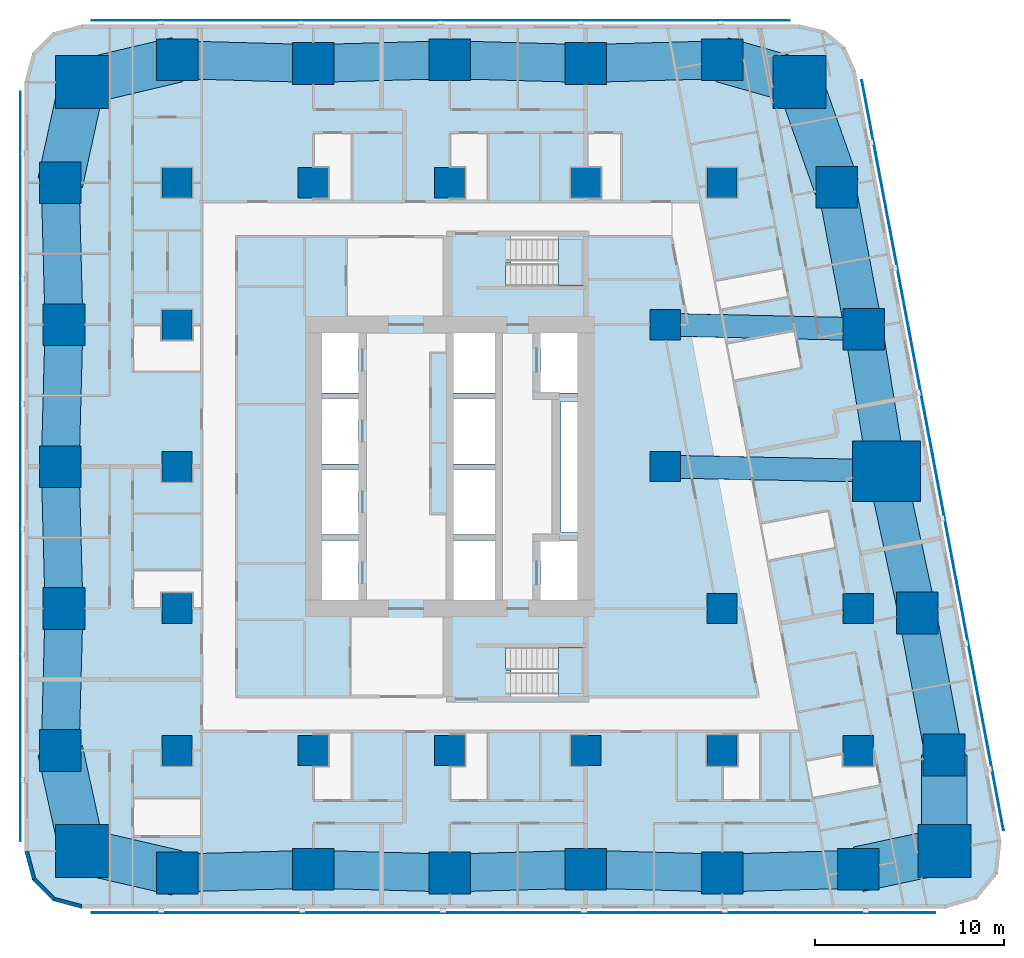
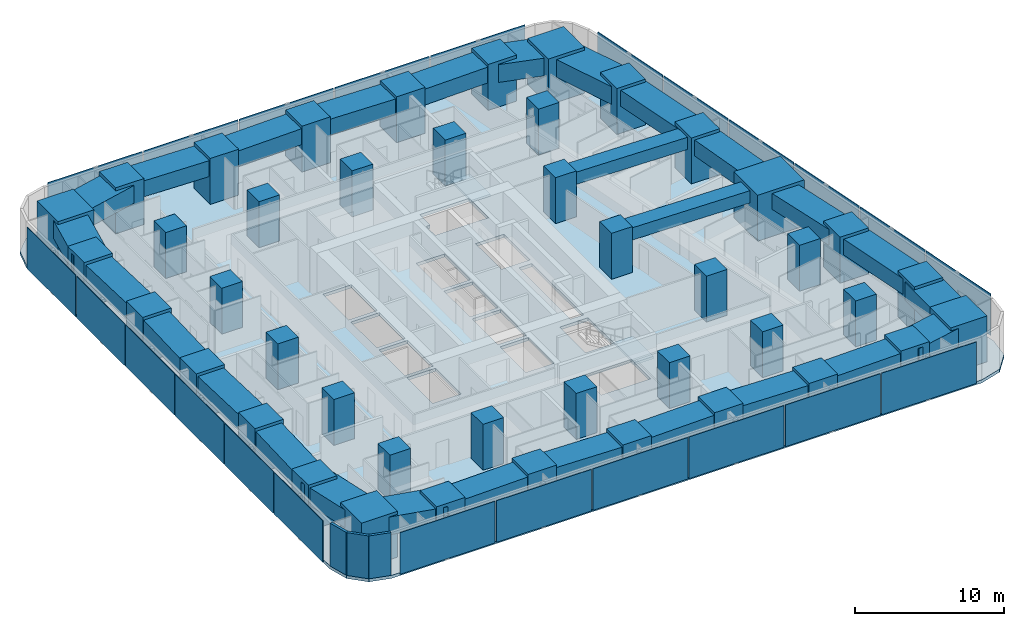
# One storey, part 1 of 17: 43 columns, 27 beams, 23 plates, 3 slabs, 3 walls, 2 elements without a shape of their own.
"""IFC4 building model written with IfcOpenShell, lengths in metres."""

import ifcopenshell
import ifcopenshell.guid

model = None  # the IFC model being written
_history = None  # IfcOwnerHistory: only IFC2X3 demands one
_inside = {}  # id of a spatial element -> (the spatial element, [elements in it])
_under = {}  # id of a project, library or spatial element -> (it, [spatial elements below it])
_declared = {}  # id of a project -> (the project, [libraries it declares])
_typed = {}  # id of a type object -> (the type object, [elements of that type])
_made_of = {}  # id of a material, layer set ... -> (it, [elements and type objects made of it])


def new_model(schema):
    """Start an empty IFC model of exactly this schema.

    Asked for "IFC4X3", IfcOpenShell would pick the latest addendum, in which some entities
    have other attributes; the version numbers below select the first issue.
    IFC2X3 requires an IfcOwnerHistory on every rooted entity: one is made here for all.
    """
    global model, _history
    if schema == "IFC4X3":
        model = ifcopenshell.file(schema_version=(4, 3, 0, 0))
    else:
        model = ifcopenshell.file(schema=schema)
    _inside.clear()
    _under.clear()
    _declared.clear()
    _typed.clear()
    _made_of.clear()
    _history = None
    if model.schema == "IFC2X3":
        org = make("IfcOrganization", Name="unknown")
        user = make(
            "IfcPersonAndOrganization",
            ThePerson=make("IfcPerson", FamilyName="unknown"),
            TheOrganization=org,
        )
        app = make(
            "IfcApplication",
            ApplicationDeveloper=org,
            Version="unknown",
            ApplicationFullName="unknown",
            ApplicationIdentifier="unknown",
        )
        _history = make(
            "IfcOwnerHistory",
            OwningUser=user,
            OwningApplication=app,
            ChangeAction="ADDED",
            CreationDate=0,
        )
    return model


def make(cls, **values):
    """One entity of the class cls with the attributes given. An attribute that is None is left unset."""
    return model.create_entity(
        cls, **{name: value for name, value in values.items() if value is not None}
    )


def rooted(cls, **values):
    """An entity with a GlobalId (a new one), such as an element, a storey or a relation."""
    return make(cls, GlobalId=ifcopenshell.guid.new(), OwnerHistory=_history, **values)


def si_unit(unit_type, name, prefix=None):
    """IfcSIUnit, for example si_unit("LENGTHUNIT", "METRE", prefix="MILLI")."""
    return make("IfcSIUnit", UnitType=unit_type, Prefix=prefix, Name=name)


def assignment(units):
    """IfcUnitAssignment: the units of a project."""
    return None if units is None else make("IfcUnitAssignment", Units=units)


def point(xyz):
    """IfcCartesianPoint."""
    return None if xyz is None else make("IfcCartesianPoint", Coordinates=xyz)


def direction(xyz):
    """IfcDirection."""
    return None if xyz is None else make("IfcDirection", DirectionRatios=xyz)


def frame(location, z_axis=None, x_axis=None):
    """IfcAxis2Placement3D, a coordinate frame: its origin and axes. An axis left out is left unset."""
    return make(
        "IfcAxis2Placement3D",
        Location=point(location),
        Axis=direction(z_axis),
        RefDirection=direction(x_axis),
    )


def frame_2d(location, x_axis=None):
    """IfcAxis2Placement2D, a coordinate frame in the plane: its origin and x axis."""
    return make(
        "IfcAxis2Placement2D", Location=point(location), RefDirection=direction(x_axis)
    )


def origin():
    """The frame at (0, 0, 0) with its axes left unset."""
    return frame((0.0, 0.0, 0.0))


def origin_2d():
    """The frame at (0, 0) in the plane with its x axis left unset."""
    return frame_2d((0.0, 0.0))


def place(relative_to, where):
    """IfcLocalPlacement: puts the frame where relative to a parent placement (None: the world)."""
    return make(
        "IfcLocalPlacement", PlacementRelTo=relative_to, RelativePlacement=where
    )


def context(
    kind, dimensions, precision=None, world=None, true_north=None, identifier=None
):
    """IfcGeometricRepresentationContext, for example the 3D "Model" context."""
    return make(
        "IfcGeometricRepresentationContext",
        ContextIdentifier=identifier,
        ContextType=kind,
        CoordinateSpaceDimension=dimensions,
        Precision=precision,
        WorldCoordinateSystem=world,
        TrueNorth=true_north,
    )


def subcontext(parent, identifier, kind, view, scale=None):
    """IfcGeometricRepresentationSubContext, for example "Body" below "Model"."""
    return make(
        "IfcGeometricRepresentationSubContext",
        ContextIdentifier=identifier,
        ContextType=kind,
        ParentContext=parent,
        TargetScale=scale,
        TargetView=view,
    )


def project(units=None, contexts=None):
    """IfcProject with its units and contexts."""
    return rooted(
        "IfcProject",
        Name="project",
        RepresentationContexts=contexts,
        UnitsInContext=assignment(units),
    )


def spatial(cls, under=None, at=None, **own):
    """A site, building, storey or space (cls), placed at a placement, below another one or the project."""
    s = rooted(cls, ObjectPlacement=at, **own)
    if under is not None:
        _under.setdefault(under.id(), (under, []))[1].append(s)
    return s


def polyline(points):
    """IfcPolyline through the points."""
    return make("IfcPolyline", Points=[point(p) for p in points])


def profile(cls, at=None, kind="AREA", **sizes):
    """A parametric profile (cls). Its sizes go by their IFC names, for example OverallWidth=200.0."""
    return make(cls, ProfileType=kind, Position=at, **sizes)


def rectangle(**sizes):
    """IfcRectangleProfileDef."""
    return profile("IfcRectangleProfileDef", **sizes)


def outline(outer, holes=None, kind="AREA"):
    """IfcArbitraryClosedProfileDef: a profile drawn as a closed curve; with holes, ...WithVoids."""
    if holes is None:
        return make("IfcArbitraryClosedProfileDef", ProfileType=kind, OuterCurve=outer)
    return make(
        "IfcArbitraryProfileDefWithVoids",
        ProfileType=kind,
        OuterCurve=outer,
        InnerCurves=holes,
    )


def extrude(swept, where, along, depth):
    """IfcExtrudedAreaSolid: the profile swept, set in the frame where, extruded along a direction by depth."""
    return make(
        "IfcExtrudedAreaSolid",
        SweptArea=swept,
        Position=where,
        ExtrudedDirection=direction(along),
        Depth=depth,
    )


def shape(context_of_items, identifier, shape_type, items):
    """IfcShapeRepresentation: the items that make up one representation, for example the "Body"."""
    return make(
        "IfcShapeRepresentation",
        ContextOfItems=context_of_items,
        RepresentationIdentifier=identifier,
        RepresentationType=shape_type,
        Items=items,
    )


def material(Name=None, Category=None):
    """IfcMaterial."""
    return make("IfcMaterial", Name=Name, Category=Category)


def layer(
    of_material, thickness, ventilated=None, Name=None, Category=None, Priority=None
):
    """IfcMaterialLayer: one layer of a wall or slab, of a material (None: an air gap)."""
    return make(
        "IfcMaterialLayer",
        Material=of_material,
        LayerThickness=thickness,
        IsVentilated=ventilated,
        Name=Name,
        Category=Category,
        Priority=Priority,
    )


def layer_set(layers, Name=None):
    """IfcMaterialLayerSet."""
    return make("IfcMaterialLayerSet", MaterialLayers=layers, LayerSetName=Name)


def material_profile(
    of_material, cross_section, Name=None, Category=None, Priority=None
):
    """IfcMaterialProfile: a cross section and its material."""
    return make(
        "IfcMaterialProfile",
        Name=Name,
        Material=of_material,
        Profile=cross_section,
        Priority=Priority,
        Category=Category,
    )


def profile_set(profiles, Name=None, composite=None):
    """IfcMaterialProfileSet."""
    return make(
        "IfcMaterialProfileSet",
        Name=Name,
        MaterialProfiles=profiles,
        CompositeProfile=composite,
    )


def made_of(thing, what):
    """Note that an element or type object is made of a material, layer set ...; save() writes the relation."""
    if what is not None:
        _made_of.setdefault(what.id(), (what, []))[1].append(thing)
    return thing


def type_object(cls, material=None, **own):
    """A type object (cls), such as IfcWallType, which elements share."""
    return made_of(rooted(cls, **own), material)


def element(
    cls,
    number,
    at=None,
    inside=None,
    cuts=None,
    type_object=None,
    material=None,
    context=None,
    identifier="Body",
    shape_type=None,
    held_by="IfcProductDefinitionShape",
    body=None,
    shapes=None,
    **own,
):
    """One element of the class cls, such as IfcWall. Its Tag is "e" and its number.

    at: its placement. inside: the storey or other place that contains it. cuts: it is an
    opening in that element (IfcRelVoidsElement). A single representation is given by context,
    identifier, shape_type and body (its items); several are given by shapes. held_by: the class
    of the entity that holds the representations. save() writes the other relations.
    """
    e = rooted(cls, Tag="e%d" % number, ObjectPlacement=at, **own)
    if body is not None:
        shapes = [shape(context, identifier, shape_type, body)]
    if shapes is not None:
        e.Representation = make(held_by, Representations=shapes)
    if inside is not None:
        _inside.setdefault(inside.id(), (inside, []))[1].append(e)
    if cuts is not None:
        rooted(
            "IfcRelVoidsElement", RelatingBuildingElement=cuts, RelatedOpeningElement=e
        )
    if type_object is not None:
        _typed.setdefault(type_object.id(), (type_object, []))[1].append(e)
    return made_of(e, material)


def aggregate(whole, parts):
    """IfcRelAggregates: a whole, such as a stair, and the parts it consists of."""
    return rooted("IfcRelAggregates", RelatingObject=whole, RelatedObjects=parts)


def save(model, path):
    """Write the relations noted so far, then the file.

    IfcRelAggregates (storeys below a building ...), IfcRelContainedInSpatialStructure (elements
    in a storey), IfcRelDefinesByType, IfcRelAssociatesMaterial and IfcRelDeclares: one each for
    every whole, place, type object, material and project.
    """
    for whole, parts in _under.values():
        aggregate(whole, parts)
    for where, things in _inside.values():
        rooted(
            "IfcRelContainedInSpatialStructure",
            RelatedElements=things,
            RelatingStructure=where,
        )
    for kind, things in _typed.values():
        rooted("IfcRelDefinesByType", RelatedObjects=things, RelatingType=kind)
    for what, things in _made_of.values():
        rooted("IfcRelAssociatesMaterial", RelatedObjects=things, RelatingMaterial=what)
    for by, libraries in _declared.values():
        rooted("IfcRelDeclares", RelatingContext=by, RelatedDefinitions=libraries)
    model.write(path)


model = new_model("IFC4")

# Units and contexts
model_context = context("Model", 3, precision=1e-05, world=origin(), true_north=direction((0.0, 1.0)))
body_context = subcontext(model_context, "Body", "Model", "MODEL_VIEW")
ifc_project = project(units=[si_unit("LENGTHUNIT", "METRE"), si_unit("AREAUNIT", "SQUARE_METRE"), si_unit("VOLUMEUNIT", "CUBIC_METRE"), si_unit("PLANEANGLEUNIT", "RADIAN"), si_unit("MASSUNIT", "GRAM", prefix="KILO")], contexts=[model_context])

# Site, building, storey
site_placement = place(None, origin())
site = spatial("IfcSite", under=ifc_project, at=site_placement, CompositionType="ELEMENT")
building_placement = place(site_placement, origin())
building = spatial("IfcBuilding", under=site, at=building_placement, Name="Sheger Commons Tower", CompositionType="ELEMENT")
storey_placement = place(building_placement, frame((0.0, 0.0, 119.14990234375)))
storey = spatial("IfcBuildingStorey", under=building, at=storey_placement, Name="L30", CompositionType="ELEMENT", Elevation=119.14990234375)

# Columns
ifc_material_1 = material(Name="Concrete C50/60", Category="concrete")
ifc_material_profile_1 = material_profile(ifc_material_1, rectangle(XDim=3.60009765625, YDim=3.199951171875, at=origin_2d()), Name="RC 3600x3200")
ifc_profile_set_1 = profile_set([ifc_material_profile_1], Name="Concrete C50/60")
column_type_1 = type_object("IfcColumnType", Name="COLUMN PIER RC 3600x3200", PredefinedType="COLUMN", material=ifc_profile_set_1)
column_placement = place(storey_placement, frame((44.697021484375, 22.262939453125, 0.0), z_axis=(0.0, 0.0, 1.0), x_axis=(1.0, 0.0, 0.0)))
element("IfcColumn", 1, at=column_placement, inside=storey, type_object=column_type_1, Name="Pier 7/D+E/D L30", PredefinedType="COLUMN", context=body_context, shape_type="SweptSolid", body=[
    extrude(rectangle(XDim=3.60009765625, YDim=3.199951171875, at=origin_2d()), origin(), (0.0, 0.0, 1.0), 3.75),
])
ifc_material_2 = material(Name="Concrete C50/60", Category="concrete")
ifc_material_profile_2 = material_profile(ifc_material_2, rectangle(XDim=1.60009765625, YDim=1.60009765625, at=origin_2d()), Name="RC 1600x1600")
ifc_profile_set_2 = profile_set([ifc_material_profile_2], Name="Concrete C50/60")
column_type_2 = type_object("IfcColumnType", Name="COLUMN RC 1600x1600", PredefinedType="COLUMN", material=ifc_profile_set_2)
for number, where, z_axis, x_axis, name in (
    (2, (7.199951171875, 7.5, 0.0), (0.0, 0.0, 1.0), (1.0, 0.0, 0.0), "Column 2/B L30"),
    (3, (14.39990234375, 7.5, 0.0), (0.0, 0.0, 1.0), (1.0, 0.0, 0.0), "Column 3/B L30"),
    (4, (21.60009765625, 7.5, 0.0), (0.0, 0.0, 1.0), (1.0, 0.0, 0.0), "Column 4/B L30"),
    (5, (28.800048828125, 7.5, 0.0), (0.0, 0.0, 1.0), (1.0, 0.0, 0.0), "Column 5/B L30"),
    (6, (36.0, 7.5, 0.0), (0.0, 0.0, 1.0), (1.0, 0.0, 0.0), "Column 6/B L30"),
    (7, (43.199951171875, 7.5, 0.0), (0.0, 0.0, 1.0), (1.0, 0.0, 0.0), "Column 7/B L30"),
    (8, (7.199951171875, 15.0, 0.0), (0.0, 0.0, 1.0), (1.0, 0.0, 0.0), "Column 2/C L30"),
    (9, (36.0, 15.0, 0.0), (0.0, 0.0, 1.0), (1.0, 0.0, 0.0), "Column 6/C L30"),
    (10, (43.199951171875, 15.0, 0.0), (0.0, 0.0, 1.0), (1.0, 0.0, 0.0), "Column 7/C L30"),
    (11, (7.199951171875, 22.5, 0.0), (0.0, 0.0, 1.0), (1.0, 0.0, 0.0), "Column 2/D L30"),
    (12, (33.0, 22.5, 0.0), (0.0, 0.0, 1.0), (1.0, 0.0, 0.0), "Column 6-3000/D L30"),
    (13, (7.199951171875, 30.0, 0.0), (0.0, 0.0, 1.0), (1.0, 0.0, 0.0), "Column 2/E L30"),
    (14, (33.0, 30.0, 0.0), (0.0, 0.0, 1.0), (1.0, 0.0, 0.0), "Column 6-3000/E L30"),
    (15, (7.199951171875, 37.5, 0.0), (0.0, 0.0, 1.0), (1.0, 0.0, 0.0), "Column 2/F L30"),
    (16, (14.39990234375, 37.5, 0.0), (0.0, 0.0, 1.0), (1.0, 0.0, 0.0), "Column 3/F L30"),
    (17, (21.60009765625, 37.5, 0.0), (0.0, 0.0, 1.0), (1.0, 0.0, 0.0), "Column 4/F L30"),
    (18, (28.800048828125, 37.5, 0.0), (0.0, 0.0, 1.0), (1.0, 0.0, 0.0), "Column 5/F L30"),
    (19, (36.0, 37.5, 0.0), (0.0, 0.0, 1.0), (1.0, 0.0, 0.0), "Column 6/F L30"),
):
    element("IfcColumn", number, at=place(storey_placement, frame(where, z_axis=z_axis, x_axis=x_axis)), inside=storey, type_object=column_type_2, Name=name, PredefinedType="COLUMN", context=body_context, shape_type="SweptSolid", body=[
        extrude(rectangle(XDim=1.60009765625, YDim=1.60009765625, at=origin_2d()), origin(), (0.0, 0.0, 1.0), 3.75),
    ])
ifc_material_3 = material(Name="Concrete C50/60", Category="concrete")
ifc_material_profile_3 = material_profile(ifc_material_3, rectangle(XDim=2.199951171875, YDim=2.199951171875, at=origin_2d()), Name="RC 2200x2200")
ifc_profile_set_3 = profile_set([ifc_material_profile_3], Name="Concrete C50/60")
column_type_3 = type_object("IfcColumnType", Name="COLUMN RC 2200x2200", PredefinedType="COLUMN", material=ifc_profile_set_3)
for number, where, z_axis, x_axis, name in (
    (20, (7.199951171875, 1.02490234375, 0.0), (0.0, 0.0, 1.0), (1.0, 0.0, 0.0), "Column 2/A L30"),
    (21, (14.39990234375, 1.22509765625, 0.0), (0.0, 0.0, 1.0), (1.0, 0.0, 0.0), "Column 3/A L30"),
    (22, (21.60009765625, 1.02490234375, 0.0), (0.0, 0.0, 1.0), (1.0, 0.0, 0.0), "Column 4/A L30"),
    (23, (28.800048828125, 1.22509765625, 0.0), (0.0, 0.0, 1.0), (1.0, 0.0, 0.0), "Column 5/A L30"),
    (24, (36.0, 1.02490234375, 0.0), (0.0, 0.0, 1.0), (1.0, 0.0, 0.0), "Column 6/A L30"),
    (25, (43.199951171875, 1.22509765625, 0.0), (0.0, 0.0, 1.0), (1.0, 0.0, 0.0), "Column 7/A L30"),
    (26, (1.02490234375, 7.5, 0.0), (0.0, 0.0, 1.0), (1.0, 0.0, 0.0), "Column 1/B L30"),
    (27, (47.72998046875, 7.262939453125, 0.0), (0.0, 0.0, 1.0), (1.0, 0.0, 0.0), "Column E/B L30"),
    (28, (1.22509765625, 15.0, 0.0), (0.0, 0.0, 1.0), (1.0, 0.0, 0.0), "Column 1/C L30"),
    (29, (46.31396484375, 14.762939453125, 0.0), (0.0, 0.0, 1.0), (1.0, 0.0, 0.0), "Column E/C L30"),
    (30, (1.02490234375, 22.5, 0.0), (0.0, 0.0, 1.0), (1.0, 0.0, 0.0), "Column 1/D L30"),
    (31, (1.22509765625, 30.0, 0.0), (0.0, 0.0, 1.0), (1.0, 0.0, 0.0), "Column 1/E L30"),
    (32, (43.47998046875, 29.762939453125, 0.0), (0.0, 0.0, 1.0), (1.0, 0.0, 0.0), "Column E/E L30"),
    (33, (1.02490234375, 37.5, 0.0), (0.0, 0.0, 1.0), (1.0, 0.0, 0.0), "Column 1/F L30"),
    (34, (42.06396484375, 37.262939453125, 0.0), (0.0, 0.0, 1.0), (1.0, 0.0, 0.0), "Column E/F L30"),
    (35, (7.199951171875, 44.0, 0.0), (0.0, 0.0, 1.0), (1.0, 0.0, 0.0), "Column 2/G L30"),
    (36, (14.39990234375, 43.800048828125, 0.0), (0.0, 0.0, 1.0), (1.0, 0.0, 0.0), "Column 3/G L30"),
    (37, (21.60009765625, 44.0, 0.0), (0.0, 0.0, 1.0), (1.0, 0.0, 0.0), "Column 4/G L30"),
    (38, (28.800048828125, 43.800048828125, 0.0), (0.0, 0.0, 1.0), (1.0, 0.0, 0.0), "Column 5/G L30"),
    (39, (36.0, 44.0, 0.0), (0.0, 0.0, 1.0), (1.0, 0.0, 0.0), "Column 6/G L30"),
):
    element("IfcColumn", number, at=place(storey_placement, frame(where, z_axis=z_axis, x_axis=x_axis)), inside=storey, type_object=column_type_3, Name=name, PredefinedType="COLUMN", context=body_context, shape_type="SweptSolid", body=[
        extrude(rectangle(XDim=2.199951171875, YDim=2.199951171875, at=origin_2d()), origin(), (0.0, 0.0, 1.0), 3.75),
    ])
ifc_material_4 = material(Name="Concrete C50/60", Category="concrete")
ifc_material_profile_4 = material_profile(ifc_material_4, rectangle(XDim=2.800048828125, YDim=2.800048828125, at=origin_2d()), Name="RC 2800x2800")
ifc_profile_set_4 = profile_set([ifc_material_profile_4], Name="Concrete C50/60")
column_type_4 = type_object("IfcColumnType", Name="COLUMN RC 2800x2800", PredefinedType="COLUMN", material=ifc_profile_set_4)
for number, where, z_axis, x_axis, name in (
    (40, (2.18603515625, 2.18603515625, 0.0), (0.0, 0.0, 1.0), (1.0, 0.0, 0.0), "Column 0.630,0.630 L30"),
    (41, (47.748046875, 2.197021484375, 0.0), (0.0, 0.0, 1.0), (1.0, 0.0, 0.0), "Column 49.461,0.778 L30"),
    (42, (2.18603515625, 42.81396484375, 0.0), (0.0, 0.0, 1.0), (1.0, 0.0, 0.0), "Column 0.630,44.370 L30"),
    (43, (40.10205078125, 42.830078125, 0.0), (0.0, 0.0, 1.0), (1.0, 0.0, 0.0), "Column 41.490,44.505 L30"),
):
    element("IfcColumn", number, at=place(storey_placement, frame(where, z_axis=z_axis, x_axis=x_axis)), inside=storey, type_object=column_type_4, Name=name, PredefinedType="COLUMN", context=body_context, shape_type="SweptSolid", body=[
        extrude(rectangle(XDim=2.800048828125, YDim=2.800048828125, at=origin_2d()), origin(), (0.0, 0.0, 1.0), 3.75),
    ])

# Beams
ifc_material_5 = material(Name="Concrete C50/60", Category="concrete")
ifc_material_profile_5 = material_profile(ifc_material_5, rectangle(XDim=1.199951171875, YDim=1.0, at=origin_2d()), Name="RC 1200x1000")
ifc_profile_set_5 = profile_set([ifc_material_profile_5], Name="Concrete C50/60")
beam_type_1 = type_object("IfcBeamType", Name="BEAM RC 1200x1000", PredefinedType="BEAM", material=ifc_profile_set_5)
beam_1_placement = place(storey_placement, frame((33.0, 22.5, 3.0), z_axis=(0.999794692776, -0.02026258368, 0.0), x_axis=(0.02026258368, 0.999794692776, 0.0)))
element("IfcBeam", 44, at=beam_1_placement, inside=storey, type_object=beam_type_1, Name="Beam 6-3000/D-7/D under L31", PredefinedType="BEAM", context=body_context, shape_type="SweptSolid", body=[
    extrude(rectangle(XDim=1.199951171875, YDim=1.0, at=origin_2d()), origin(), (0.0, 0.0, 1.0), 11.699462890625),
])
beam_2_placement = place(storey_placement, frame((33.0, 30.0, 3.0), z_axis=(0.999744258625, -0.022614538395, 0.0), x_axis=(0.022614538395, 0.999744258625, 0.0)))
element("IfcBeam", 45, at=beam_2_placement, inside=storey, type_object=beam_type_1, Name="Beam 6-3000/E-E/E under L31", PredefinedType="BEAM", context=body_context, shape_type="SweptSolid", body=[
    extrude(rectangle(XDim=1.199951171875, YDim=1.0, at=origin_2d()), origin(), (0.0, 0.0, 1.0), 10.482666015625),
])
ifc_material_6 = material(Name="Concrete C50/60", Category="concrete")
ifc_material_profile_6 = material_profile(ifc_material_6, rectangle(XDim=2.0, YDim=1.300048828125, at=origin_2d()), Name="RC 2000x1300")
ifc_profile_set_6 = profile_set([ifc_material_profile_6], Name="Concrete C50/60")
beam_type_2 = type_object("IfcBeamType", Name="SPANDREL RC 2000x1300", PredefinedType="SPANDREL", material=ifc_profile_set_6)
beam_3_placement = place(storey_placement, frame((7.199951171875, 1.02490234375, 2.85009765625), z_axis=(0.9996136624, 0.027794350926, 0.0), x_axis=(-0.027794350926, 0.9996136624, 0.0)))
element("IfcBeam", 46, at=beam_3_placement, inside=storey, type_object=beam_type_2, Name="Beam 2/A-3/A under L31", PredefinedType="SPANDREL", context=body_context, shape_type="SweptSolid", body=[
    extrude(rectangle(XDim=2.0, YDim=1.300048828125, at=origin_2d()), origin(), (0.0, 0.0, 1.0), 7.20263671875),
])
beam_4_placement = place(storey_placement, frame((14.39990234375, 1.22509765625, 2.85009765625), z_axis=(0.999613688584, -0.027793409217, 0.0), x_axis=(0.027793409217, 0.999613688584, 0.0)))
element("IfcBeam", 47, at=beam_4_placement, inside=storey, type_object=beam_type_2, Name="Beam 3/A-4/A under L31", PredefinedType="SPANDREL", context=body_context, shape_type="SweptSolid", body=[
    extrude(rectangle(XDim=2.0, YDim=1.300048828125, at=origin_2d()), origin(), (0.0, 0.0, 1.0), 7.202880859375),
])
for number, where, z_axis, x_axis, name in (
    (48, (21.60009765625, 1.02490234375, 2.85009765625), (0.9996136624, 0.027794350926, 0.0), (-0.027794350926, 0.9996136624, 0.0), "Beam 4/A-5/A under L31"),
    (49, (28.800048828125, 1.22509765625, 2.85009765625), (0.9996136624, -0.027794350926, 0.0), (0.027794350926, 0.9996136624, 0.0), "Beam 5/A-6/A under L31"),
    (50, (36.0, 1.02490234375, 2.85009765625), (0.9996136624, 0.027794350926, 0.0), (-0.027794350926, 0.9996136624, 0.0), "Beam 6/A-7/A under L31"),
):
    element("IfcBeam", number, at=place(storey_placement, frame(where, z_axis=z_axis, x_axis=x_axis)), inside=storey, type_object=beam_type_2, Name=name, PredefinedType="SPANDREL", context=body_context, shape_type="SweptSolid", body=[
        extrude(rectangle(XDim=2.0, YDim=1.300048828125, at=origin_2d()), origin(), (0.0, 0.0, 1.0), 7.20263671875),
    ])
beam_5_placement = place(storey_placement, frame((47.72998046875, 7.262939453125, 2.85009765625), z_axis=(-0.18552441405, 0.982639655108, 0.0), x_axis=(-0.982639655108, -0.18552441405, 0.0)))
element("IfcBeam", 51, at=beam_5_placement, inside=storey, type_object=beam_type_2, Name="Beam E/B-E/C under L31", PredefinedType="SPANDREL", context=body_context, shape_type="SweptSolid", body=[
    extrude(rectangle(XDim=2.0, YDim=1.300048828125, at=origin_2d()), origin(), (0.0, 0.0, 1.0), 7.632568359375),
])
beam_6_placement = place(storey_placement, frame((46.31396484375, 14.762939453125, 2.85009765625), z_axis=(-0.210750229323, 0.977539943348, 0.0), x_axis=(-0.977539943348, -0.210750229323, 0.0)))
element("IfcBeam", 52, at=beam_6_placement, inside=storey, type_object=beam_type_2, Name="Beam E/C-E/D under L31", PredefinedType="SPANDREL", context=body_context, shape_type="SweptSolid", body=[
    extrude(rectangle(XDim=2.0, YDim=1.300048828125, at=origin_2d()), origin(), (0.0, 0.0, 1.0), 7.67236328125),
])
beam_7_placement = place(storey_placement, frame((44.697021484375, 22.262939453125, 2.85009765625), z_axis=(-0.160176929512, 0.987088319884, 0.0), x_axis=(-0.987088319884, -0.160176929512, 0.0)))
element("IfcBeam", 53, at=beam_7_placement, inside=storey, type_object=beam_type_2, Name="Beam E/D-E/E under L31", PredefinedType="SPANDREL", context=body_context, shape_type="SweptSolid", body=[
    extrude(rectangle(XDim=2.0, YDim=1.300048828125, at=origin_2d()), origin(), (0.0, 0.0, 1.0), 7.59814453125),
])
beam_8_placement = place(storey_placement, frame((43.47998046875, 29.762939453125, 2.85009765625), z_axis=(-0.18552441405, 0.982639655108, 0.0), x_axis=(-0.982639655108, -0.18552441405, 0.0)))
element("IfcBeam", 54, at=beam_8_placement, inside=storey, type_object=beam_type_2, Name="Beam E/E-E/F under L31", PredefinedType="SPANDREL", context=body_context, shape_type="SweptSolid", body=[
    extrude(rectangle(XDim=2.0, YDim=1.300048828125, at=origin_2d()), origin(), (0.0, 0.0, 1.0), 7.632568359375),
])
for number, where, z_axis, x_axis, name in (
    (55, (36.0, 44.0, 2.85009765625), (-0.999614603568, -0.027760481514, 0.0), (0.027760481514, -0.999614603568, 0.0), "Beam 6/G-5/G under L31"),
    (56, (28.800048828125, 43.800048828125, 2.85009765625), (-0.999614603568, 0.027760481514, 0.0), (-0.027760481514, -0.999614603568, 0.0), "Beam 5/G-4/G under L31"),
):
    element("IfcBeam", number, at=place(storey_placement, frame(where, z_axis=z_axis, x_axis=x_axis)), inside=storey, type_object=beam_type_2, Name=name, PredefinedType="SPANDREL", context=body_context, shape_type="SweptSolid", body=[
        extrude(rectangle(XDim=2.0, YDim=1.300048828125, at=origin_2d()), origin(), (0.0, 0.0, 1.0), 7.20263671875),
    ])
beam_9_placement = place(storey_placement, frame((21.60009765625, 44.0, 2.85009765625), z_axis=(-0.999614629688, -0.027759540951, 0.0), x_axis=(0.027759540951, -0.999614629688, 0.0)))
element("IfcBeam", 57, at=beam_9_placement, inside=storey, type_object=beam_type_2, Name="Beam 4/G-3/G under L31", PredefinedType="SPANDREL", context=body_context, shape_type="SweptSolid", body=[
    extrude(rectangle(XDim=2.0, YDim=1.300048828125, at=origin_2d()), origin(), (0.0, 0.0, 1.0), 7.202880859375),
])
beam_10_placement = place(storey_placement, frame((14.39990234375, 43.800048828125, 2.85009765625), z_axis=(-0.999614603568, 0.027760481514, 0.0), x_axis=(-0.027760481514, -0.999614603568, 0.0)))
element("IfcBeam", 58, at=beam_10_placement, inside=storey, type_object=beam_type_2, Name="Beam 3/G-2/G under L31", PredefinedType="SPANDREL", context=body_context, shape_type="SweptSolid", body=[
    extrude(rectangle(XDim=2.0, YDim=1.300048828125, at=origin_2d()), origin(), (0.0, 0.0, 1.0), 7.20263671875),
])
for number, where, z_axis, x_axis, name in (
    (59, (1.02490234375, 37.5, 2.85009765625), (0.026683204125, -0.999643939919, 0.0), (0.999643939919, 0.026683204125, 0.0), "Beam 1/F-1/E under L31"),
    (60, (1.22509765625, 30.0, 2.85009765625), (-0.026683204125, -0.999643939919, 0.0), (0.999643939919, -0.026683204125, 0.0), "Beam 1/E-1/D under L31"),
    (61, (1.02490234375, 22.5, 2.85009765625), (0.026683204125, -0.999643939919, 0.0), (0.999643939919, 0.026683204125, 0.0), "Beam 1/D-1/C under L31"),
    (62, (1.22509765625, 15.0, 2.85009765625), (-0.026683204125, -0.999643939919, 0.0), (0.999643939919, -0.026683204125, 0.0), "Beam 1/C-1/B under L31"),
):
    element("IfcBeam", number, at=place(storey_placement, frame(where, z_axis=z_axis, x_axis=x_axis)), inside=storey, type_object=beam_type_2, Name=name, PredefinedType="SPANDREL", context=body_context, shape_type="SweptSolid", body=[
        extrude(rectangle(XDim=2.0, YDim=1.300048828125, at=origin_2d()), origin(), (0.0, 0.0, 1.0), 7.502685546875),
    ])
ifc_material_7 = material(Name="Concrete C50/60", Category="concrete")
ifc_material_profile_7 = material_profile(ifc_material_7, rectangle(XDim=2.39990234375, YDim=1.449951171875, at=origin_2d()), Name="RC 2400x1450")
ifc_profile_set_7 = profile_set([ifc_material_profile_7], Name="Concrete C50/60")
beam_type_3 = type_object("IfcBeamType", Name="SPANDREL RC 2400x1450", PredefinedType="SPANDREL", material=ifc_profile_set_7)
beam_11_placement = place(storey_placement, frame((2.18603515625, 2.18603515625, 2.775146484375), z_axis=(0.974217413499, -0.225611239159, 0.0), x_axis=(0.225611239159, 0.974217413499, 0.0)))
element("IfcBeam", 63, at=beam_11_placement, inside=storey, type_object=beam_type_3, Name="Beam 0.630,0.630-2/A under L31", PredefinedType="SPANDREL", context=body_context, shape_type="SweptSolid", body=[
    extrude(rectangle(XDim=2.39990234375, YDim=1.449951171875, at=origin_2d()), origin(), (0.0, 0.0, 1.0), 5.146728515625),
])
beam_12_placement = place(storey_placement, frame((43.199951171875, 1.22509765625, 2.775146484375), z_axis=(0.977919796671, 0.208980552394, 0.0), x_axis=(-0.208980552394, 0.977919796671, 0.0)))
element("IfcBeam", 64, at=beam_12_placement, inside=storey, type_object=beam_type_3, Name="Beam 7/A-49.461,0.778 under L31", PredefinedType="SPANDREL", context=body_context, shape_type="SweptSolid", body=[
    extrude(rectangle(XDim=2.39990234375, YDim=1.449951171875, at=origin_2d()), origin(), (0.0, 0.0, 1.0), 4.65087890625),
])
beam_13_placement = place(storey_placement, frame((47.748046875, 2.197021484375, 2.775146484375), z_axis=(-0.003566242382, 0.999993640937, 0.0), x_axis=(-0.999993640937, -0.003566242382, 0.0)))
element("IfcBeam", 65, at=beam_13_placement, inside=storey, type_object=beam_type_3, Name="Beam 49.461,0.778-E/B under L31", PredefinedType="SPANDREL", context=body_context, shape_type="SweptSolid", body=[
    extrude(rectangle(XDim=2.39990234375, YDim=1.449951171875, at=origin_2d()), origin(), (0.0, 0.0, 1.0), 5.06591796875),
])
beam_14_placement = place(storey_placement, frame((42.06396484375, 37.262939453125, 2.775146484375), z_axis=(-0.332374403357, 0.943147526102, 0.0), x_axis=(-0.943147526102, -0.332374403357, 0.0)))
element("IfcBeam", 66, at=beam_14_placement, inside=storey, type_object=beam_type_3, Name="Beam E/F-41.490,44.505 under L31", PredefinedType="SPANDREL", context=body_context, shape_type="SweptSolid", body=[
    extrude(rectangle(XDim=2.39990234375, YDim=1.449951171875, at=origin_2d()), origin(), (0.0, 0.0, 1.0), 5.90283203125),
])
beam_15_placement = place(storey_placement, frame((40.10205078125, 42.830078125, 2.775146484375), z_axis=(-0.961653428129, 0.274267541221, 0.0), x_axis=(-0.274267541221, -0.961653428129, 0.0)))
element("IfcBeam", 67, at=beam_15_placement, inside=storey, type_object=beam_type_3, Name="Beam 41.490,44.505-6/G under L31", PredefinedType="SPANDREL", context=body_context, shape_type="SweptSolid", body=[
    extrude(rectangle(XDim=2.39990234375, YDim=1.449951171875, at=origin_2d()), origin(), (0.0, 0.0, 1.0), 4.265625),
])
beam_16_placement = place(storey_placement, frame((7.199951171875, 44.0, 2.775146484375), z_axis=(-0.97314428949, -0.230195985701, 0.0), x_axis=(0.230195985701, -0.97314428949, 0.0)))
element("IfcBeam", 68, at=beam_16_placement, inside=storey, type_object=beam_type_3, Name="Beam 2/G-0.630,44.370 under L31", PredefinedType="SPANDREL", context=body_context, shape_type="SweptSolid", body=[
    extrude(rectangle(XDim=2.39990234375, YDim=1.449951171875, at=origin_2d()), origin(), (0.0, 0.0, 1.0), 5.15234375),
])
for number, where, z_axis, x_axis, name in (
    (69, (2.18603515625, 42.81396484375, 2.775146484375), (-0.213469314652, -0.976949769283, 0.0), (0.976949769283, -0.213469314652, 0.0), "Beam 0.630,44.370-1/F under L31"),
    (70, (1.02490234375, 7.5, 2.775146484375), (0.213469314652, -0.976949769283, 0.0), (0.976949769283, 0.213469314652, 0.0), "Beam 1/B-0.630,0.630 under L31"),
):
    element("IfcBeam", number, at=place(storey_placement, frame(where, z_axis=z_axis, x_axis=x_axis)), inside=storey, type_object=beam_type_3, Name=name, PredefinedType="SPANDREL", context=body_context, shape_type="SweptSolid", body=[
        extrude(rectangle(XDim=2.39990234375, YDim=1.449951171875, at=origin_2d()), origin(), (0.0, 0.0, 1.0), 5.439453125),
    ])

# Slab
ifc_material_8 = material(Name="Concrete C35/45", Category="concrete")
ifc_layer_1 = layer(ifc_material_8, 0.25)
ifc_layer_set_1 = layer_set([ifc_layer_1], Name="SLAB FLOOR 250")
slab_type_1 = type_object("IfcSlabType", Name="SLAB FLOOR 250", PredefinedType="FLOOR", material=ifc_layer_set_1)
slab_1_placement = place(storey_placement, frame((0.0, 0.0, -0.25)))
element("IfcSlab", 71, at=slab_1_placement, inside=storey, type_object=slab_type_1, Name="L30 floor slab", PredefinedType="FLOOR", context=body_context, shape_type="SweptSolid", body=[
    extrude(outline(polyline([(-0.85009765625, 2.14990234375), (-0.447998046875, 0.64990234375), (0.64990234375, -0.447998046875), (2.14990234375, -0.85009765625), (47.805908203125, -0.85009765625), (49.465087890625, -0.35009765625), (50.570068359375, 0.98388671875), (50.75390625, 2.70703125), (43.06591796875, 43.406982421875), (42.509033203125, 44.660888671875), (41.452880859375, 45.535888671875), (40.117919921875, 45.85009765625), (2.14990234375, 45.85009765625), (0.64990234375, 45.447998046875), (-0.447998046875, 44.35009765625), (-0.85009765625, 42.85009765625), (-0.85009765625, 2.14990234375)]), holes=[polyline([(24.85009765625, 10.35009765625), (28.64990234375, 10.35009765625), (28.64990234375, 12.949951171875), (24.551025390625, 12.949951171875), (24.551025390625, 11.75), (24.85009765625, 11.75), (24.85009765625, 10.35009765625)]), polyline([(24.551025390625, 32.050048828125), (28.64990234375, 32.050048828125), (28.64990234375, 34.64990234375), (24.85009765625, 34.64990234375), (24.85009765625, 33.25), (24.551025390625, 33.25), (24.551025390625, 32.050048828125)]), polyline([(26.39990234375, 15.14990234375), (28.60009765625, 15.14990234375), (28.60009765625, 18.60009765625), (26.39990234375, 18.60009765625), (26.39990234375, 15.14990234375)]), polyline([(26.39990234375, 26.39990234375), (28.60009765625, 26.39990234375), (28.60009765625, 29.85009765625), (26.39990234375, 29.85009765625), (26.39990234375, 26.39990234375)]), polyline([(14.60009765625, 15.14990234375), (16.800048828125, 15.14990234375), (16.800048828125, 18.60009765625), (14.60009765625, 18.60009765625), (14.60009765625, 15.14990234375)]), polyline([(14.60009765625, 18.89990234375), (16.800048828125, 18.89990234375), (16.800048828125, 22.35009765625), (14.60009765625, 22.35009765625), (14.60009765625, 18.89990234375)]), polyline([(14.60009765625, 22.64990234375), (16.800048828125, 22.64990234375), (16.800048828125, 26.10009765625), (14.60009765625, 26.10009765625), (14.60009765625, 22.64990234375)]), polyline([(14.60009765625, 26.39990234375), (16.800048828125, 26.39990234375), (16.800048828125, 29.85009765625), (14.60009765625, 29.85009765625), (14.60009765625, 26.39990234375)]), polyline([(21.800048828125, 15.14990234375), (24.0, 15.14990234375), (24.0, 18.60009765625), (21.800048828125, 18.60009765625), (21.800048828125, 15.14990234375)]), polyline([(21.800048828125, 18.89990234375), (24.0, 18.89990234375), (24.0, 22.35009765625), (21.800048828125, 22.35009765625), (21.800048828125, 18.89990234375)]), polyline([(21.800048828125, 22.64990234375), (24.0, 22.64990234375), (24.0, 26.10009765625), (21.800048828125, 26.10009765625), (21.800048828125, 22.64990234375)]), polyline([(21.800048828125, 26.39990234375), (24.0, 26.39990234375), (24.0, 29.85009765625), (21.800048828125, 29.85009765625), (21.800048828125, 26.39990234375)]), polyline([(27.5, 19.050048828125), (28.5, 19.050048828125), (28.5, 25.949951171875), (27.5, 25.949951171875), (27.5, 19.050048828125)])]), origin(), (0.0, 0.0, 1.0), 0.25),
])

# Plates
ifc_material_9 = material(Name="Perforated black anodised aluminium screen", Category="aluminium")
ifc_layer_2 = layer(ifc_material_9, 0.050048828125)
ifc_layer_set_2 = layer_set([ifc_layer_2], Name="SOLAR SCREEN SCREEN-1")
plate_type = type_object("IfcPlateType", Name="SOLAR SCREEN SCREEN-1", PredefinedType="USERDEFINED", material=ifc_layer_set_2)
for number, where, z_axis, x_axis, name in (
    (72, (6.37109375, -1.074951171875, 0.050048828125), (0.0, 0.0, 1.0), (1.0, 0.0, 0.0), "Perforated solar screen panel"),
    (73, (13.81396484375, -1.074951171875, 0.050048828125), (0.0, 0.0, 1.0), (1.0, 0.0, 0.0), "Perforated solar screen panel"),
    (74, (21.257080078125, -1.074951171875, 0.050048828125), (0.0, 0.0, 1.0), (1.0, 0.0, 0.0), "Perforated solar screen panel"),
    (75, (28.698974609375, -1.074951171875, 0.050048828125), (0.0, 0.0, 1.0), (1.0, 0.0, 0.0), "Perforated solar screen panel"),
    (76, (36.14208984375, -1.074951171875, 0.050048828125), (0.0, 0.0, 1.0), (1.0, 0.0, 0.0), "Perforated solar screen panel"),
    (77, (43.5849609375, -1.074951171875, 0.050048828125), (0.0, 0.0, 1.0), (1.0, 0.0, 0.0), "Perforated solar screen panel"),
):
    element("IfcPlate", number, at=place(storey_placement, frame(where, z_axis=z_axis, x_axis=x_axis)), inside=storey, type_object=plate_type, Name=name, ObjectType="SCREEN", PredefinedType="USERDEFINED", context=body_context, shape_type="SweptSolid", body=[
        extrude(rectangle(XDim=7.343017578125, YDim=0.050048828125, at=origin_2d()), origin(), (0.0, 0.0, 1.0), 3.39990234375),
    ])
for number, where, z_axis, x_axis, name in (
    (78, (50.257080078125, 6.550048828125, 0.050048828125), (0.0, 0.0, 1.0), (-0.185615165645, 0.982622516678, 0.0), "Perforated solar screen panel"),
    (79, (49.007080078125, 13.1689453125, 0.050048828125), (0.0, 0.0, 1.0), (-0.185615165645, 0.982622516678, 0.0), "Perforated solar screen panel"),
    (80, (47.756103515625, 19.7890625, 0.050048828125), (0.0, 0.0, 1.0), (-0.185615165645, 0.982622516678, 0.0), "Perforated solar screen panel"),
    (81, (46.506103515625, 26.408935546875, 0.050048828125), (0.0, 0.0, 1.0), (-0.185615165645, 0.982622516678, 0.0), "Perforated solar screen panel"),
    (82, (45.2548828125, 33.028076171875, 0.050048828125), (0.0, 0.0, 1.0), (-0.185615165645, 0.982622516678, 0.0), "Perforated solar screen panel"),
    (83, (44.0048828125, 39.64794921875, 0.050048828125), (0.0, 0.0, 1.0), (-0.185615165645, 0.982622516678, 0.0), "Perforated solar screen panel"),
):
    element("IfcPlate", number, at=place(storey_placement, frame(where, z_axis=z_axis, x_axis=x_axis)), inside=storey, type_object=plate_type, Name=name, ObjectType="SCREEN", PredefinedType="USERDEFINED", context=body_context, shape_type="SweptSolid", body=[
        extrude(rectangle(XDim=6.636962890625, YDim=0.050048828125, at=origin_2d()), origin(), (0.0, 0.0, 1.0), 3.39990234375),
    ])
for number, where, z_axis, x_axis, name in (
    (84, (35.9208984375, 46.074951171875, 0.050048828125), (0.0, 0.0, 1.0), (-1.0, 0.0, 0.0), "Perforated solar screen panel"),
    (85, (28.528076171875, 46.074951171875, 0.050048828125), (0.0, 0.0, 1.0), (-1.0, 0.0, 0.0), "Perforated solar screen panel"),
    (86, (21.134033203125, 46.074951171875, 0.050048828125), (0.0, 0.0, 1.0), (-1.0, 0.0, 0.0), "Perforated solar screen panel"),
    (87, (13.739990234375, 46.074951171875, 0.050048828125), (0.0, 0.0, 1.0), (-1.0, 0.0, 0.0), "Perforated solar screen panel"),
    (88, (6.346923828125, 46.074951171875, 0.050048828125), (0.0, 0.0, 1.0), (-1.0, 0.0, 0.0), "Perforated solar screen panel"),
):
    element("IfcPlate", number, at=place(storey_placement, frame(where, z_axis=z_axis, x_axis=x_axis)), inside=storey, type_object=plate_type, Name=name, ObjectType="SCREEN", PredefinedType="USERDEFINED", context=body_context, shape_type="SweptSolid", body=[
        extrude(rectangle(XDim=7.2939453125, YDim=0.050048828125, at=origin_2d()), origin(), (0.0, 0.0, 1.0), 3.39990234375),
    ])
for number, where, z_axis, x_axis, name in (
    (89, (-1.074951171875, 39.0419921875, 0.050048828125), (0.0, 0.0, 1.0), (0.0, -1.0, 0.0), "Perforated solar screen panel"),
    (90, (-1.074951171875, 32.425048828125, 0.050048828125), (0.0, 0.0, 1.0), (0.0, -1.0, 0.0), "Perforated solar screen panel"),
    (91, (-1.074951171875, 25.80810546875, 0.050048828125), (0.0, 0.0, 1.0), (0.0, -1.0, 0.0), "Perforated solar screen panel"),
    (92, (-1.074951171875, 19.19189453125, 0.050048828125), (0.0, 0.0, 1.0), (0.0, -1.0, 0.0), "Perforated solar screen panel"),
    (93, (-1.074951171875, 12.574951171875, 0.050048828125), (0.0, 0.0, 1.0), (0.0, -1.0, 0.0), "Perforated solar screen panel"),
    (94, (-1.074951171875, 5.9580078125, 0.050048828125), (0.0, 0.0, 1.0), (0.0, -1.0, 0.0), "Perforated solar screen panel"),
):
    element("IfcPlate", number, at=place(storey_placement, frame(where, z_axis=z_axis, x_axis=x_axis)), inside=storey, type_object=plate_type, Name=name, ObjectType="SCREEN", PredefinedType="USERDEFINED", context=body_context, shape_type="SweptSolid", body=[
        extrude(rectangle(XDim=6.51708984375, YDim=0.050048828125, at=origin_2d()), origin(), (0.0, 0.0, 1.0), 3.39990234375),
    ])

# Stair, slab
ifc_material_10 = material(Name="Concrete C35/45", Category="concrete")
stair_type = type_object("IfcStairType", Name="HALF-TURN STAIR 1200 RISE 3750", PredefinedType="HALF_TURN_STAIR", material=ifc_material_10)
stair_1_placement = place(storey_placement, origin())
stair_1 = element("IfcStair", 95, at=stair_1_placement, inside=storey, type_object=stair_type, Name="Stair S1 L30", PredefinedType="HALF_TURN_STAIR")
ifc_material_11 = material(Name="Concrete C35/45", Category="concrete")
ifc_layer_3 = layer(ifc_material_11, 0.199951171875)
ifc_layer_set_3 = layer_set([ifc_layer_3], Name="STAIR LANDING 200")
slab_type_2 = type_object("IfcSlabType", Name="STAIR LANDING 200", PredefinedType="LANDING", material=ifc_layer_set_3)
slab_2_placement = place(storey_placement, frame((0.0, 0.0, 1.675048828125)))
slab_2 = element("IfcSlab", 96, at=slab_2_placement, type_object=slab_type_2, Name="S1 landing 1", PredefinedType="LANDING", context=body_context, shape_type="SweptSolid", body=[
    extrude(outline(polyline([(27.35009765625, 10.199951171875), (28.800048828125, 10.199951171875), (28.800048828125, 12.949951171875), (27.35009765625, 12.949951171875), (27.35009765625, 10.199951171875)])), origin(), (0.0, 0.0, 1.0), 0.199951171875),
])
aggregate(stair_1, [slab_2])

stair_2_placement = place(storey_placement, origin())
stair_2 = element("IfcStair", 97, at=stair_2_placement, inside=storey, type_object=stair_type, Name="Stair S2 L30", PredefinedType="HALF_TURN_STAIR")
slab_3_placement = place(storey_placement, frame((0.0, 0.0, 1.675048828125)))
slab_3 = element("IfcSlab", 98, at=slab_3_placement, type_object=slab_type_2, Name="S2 landing 1", PredefinedType="LANDING", context=body_context, shape_type="SweptSolid", body=[
    extrude(outline(polyline([(27.35009765625, 32.050048828125), (28.800048828125, 32.050048828125), (28.800048828125, 34.800048828125), (27.35009765625, 34.800048828125), (27.35009765625, 32.050048828125)])), origin(), (0.0, 0.0, 1.0), 0.199951171875),
])
aggregate(stair_2, [slab_3])

# Walls
ifc_material_12 = material(Name="Rendered concrete block masonry, dark grey", Category="masonry")
ifc_layer_4 = layer(ifc_material_12, 0.199951171875)
ifc_layer_set_4 = layer_set([ifc_layer_4], Name="FACADE WALL 200")
wall_type = type_object("IfcWallType", Name="FACADE WALL 200", PredefinedType="SOLIDWALL", material=ifc_layer_set_4)
wall_1_placement = place(storey_placement, frame((-0.75, 2.1630859375, 0.0), z_axis=(0.0, 0.0, 1.0), x_axis=(0.259168954497, -0.965832000415, 0.0)))
element("IfcWall", 99, at=wall_1_placement, inside=storey, type_object=wall_type, Name="Facade wall L30", PredefinedType="SOLIDWALL", context=body_context, shape_type="SweptSolid", body=[
    extrude(rectangle(XDim=1.512939453125, YDim=0.199951171875, at=frame_2d((0.75634765625, 0.0))), origin(), (0.0, 0.0, 1.0), 3.5),
])
wall_2_placement = place(storey_placement, frame((-0.35791015625, 0.701904296875, 0.0), z_axis=(0.0, 0.0, 1.0), x_axis=(0.707106781187, -0.707106781187, 0.0)))
element("IfcWall", 100, at=wall_2_placement, inside=storey, type_object=wall_type, Name="Facade wall L30", PredefinedType="SOLIDWALL", context=body_context, shape_type="SweptSolid", body=[
    extrude(rectangle(XDim=1.498779296875, YDim=0.199951171875, at=frame_2d((0.74951171875, 0.0))), origin(), (0.0, 0.0, 1.0), 3.5),
])
wall_3_placement = place(storey_placement, frame((0.701904296875, -0.35791015625, 0.0), z_axis=(0.0, 0.0, 1.0), x_axis=(0.965832000415, -0.259168954497, 0.0)))
element("IfcWall", 101, at=wall_3_placement, inside=storey, type_object=wall_type, Name="Facade wall L30", PredefinedType="SOLIDWALL", context=body_context, shape_type="SweptSolid", body=[
    extrude(rectangle(XDim=1.512939453125, YDim=0.199951171875, at=frame_2d((0.75634765625, 0.0))), origin(), (0.0, 0.0, 1.0), 3.5),
])

save(model, "model.ifc")
